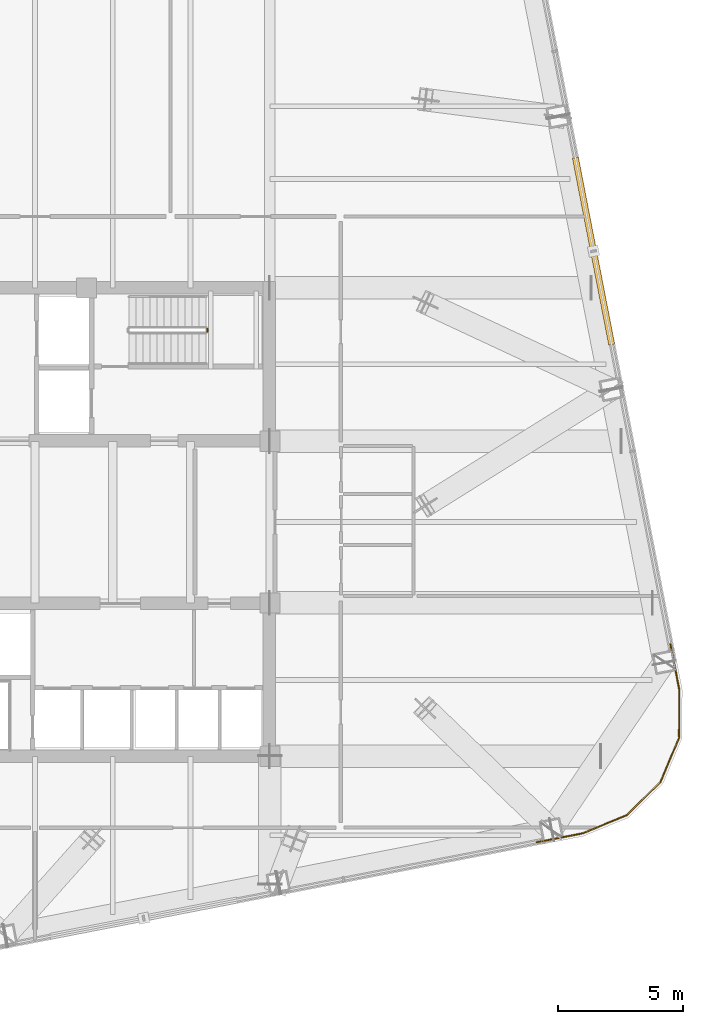
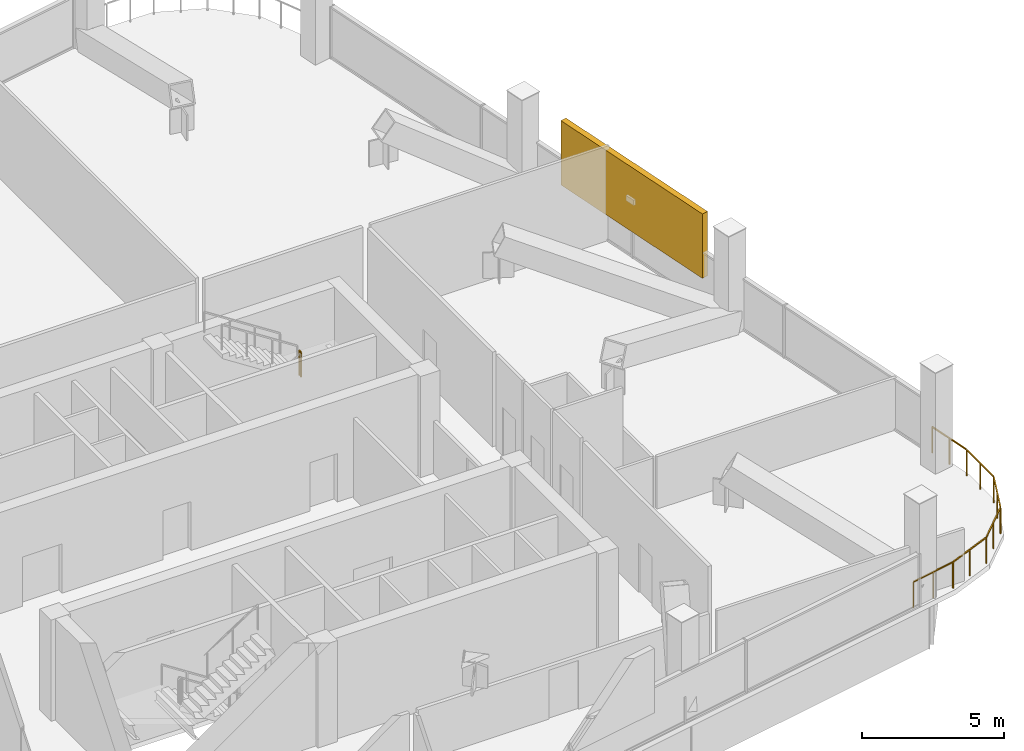
# One storey, part 25 of 26: 3 railings, 1 shading device.
"""IFC4 building model written with IfcOpenShell, lengths in metres."""

from ifc_helpers import new_model, si_unit, direction, frame, origin, origin_2d, place, context, subcontext, project, spatial, rectangle, extrude, material, type_object, element, save


model = new_model("IFC4")

# Units and contexts
model_context = context("Model", 3, precision=1e-05, world=origin(), true_north=direction((0.0, 1.0)))
body_context = subcontext(model_context, "Body", "Model", "MODEL_VIEW")
ifc_project = project(units=[si_unit("LENGTHUNIT", "METRE"), si_unit("AREAUNIT", "SQUARE_METRE"), si_unit("VOLUMEUNIT", "CUBIC_METRE"), si_unit("PLANEANGLEUNIT", "RADIAN"), si_unit("MASSUNIT", "GRAM", prefix="KILO")], contexts=[model_context])

# Site, building, storey
site_placement = place(None, origin())
site = spatial("IfcSite", under=ifc_project, at=site_placement, CompositionType="ELEMENT")
building_placement = place(site_placement, origin())
building = spatial("IfcBuilding", under=site, at=building_placement, Name="Qhalaya Broadcast Tower", CompositionType="ELEMENT")
storey_placement = place(building_placement, frame((0.0, 0.0, 140.25)))
storey = spatial("IfcBuildingStorey", under=building, at=storey_placement, Name="L41", CompositionType="ELEMENT", Elevation=140.25)

# Railings
ifc_material_1 = material(Name="Powder-Coated Galvanised Steel", Category="steel")
railing_type_1 = type_object("IfcRailingType", Name="Stair Well & Landing Guardrail 1100", PredefinedType="GUARDRAIL", material=ifc_material_1)
railing_1_placement = place(storey_placement, frame((6.8798828125, 8.199951171875, 2.175048828125)))
element("IfcRailing", 1, at=railing_1_placement, inside=storey, type_object=railing_type_1, Name="L41 ST-1 Stair Guard 2", PredefinedType="GUARDRAIL", context=body_context, shape_type="SweptSolid", body=[
    extrude(rectangle(XDim=0.048095703125, YDim=0.048095703125, at=origin_2d()), frame((0.0, 0.0, 1.076171875), z_axis=(0.0, 1.0, 0.0), x_axis=(-1.0, 0.0, 0.0)), (0.0, 0.0, 1.0), 0.1201171875),
    extrude(rectangle(XDim=0.0419921875, YDim=0.0419921875, at=origin_2d()), origin(), (0.0, 0.0, 1.0), 1.050048828125),
    extrude(rectangle(XDim=0.0419921875, YDim=0.0419921875, at=origin_2d()), frame((0.0, 0.1201171875, 0.0)), (0.0, 0.0, 1.0), 1.050048828125),
])
railing_type_2 = type_object("IfcRailingType", Name="Terrace, Sky-Pool & Lookout Glass Balustrade 1150", PredefinedType="BALUSTRADE", material=ifc_material_1)
railing_2_placement = place(storey_placement, frame((21.847412109375, -11.82861328125, 0.0)))
element("IfcRailing", 2, at=railing_2_placement, inside=storey, type_object=railing_type_2, Name="L41 Rounded Corner Perimeter Guard 01", PredefinedType="BALUSTRADE", context=body_context, shape_type="SweptSolid", body=[
    extrude(rectangle(XDim=0.048095703125, YDim=0.048095703125, at=origin_2d()), frame((0.0, 0.0, 1.1259765625), z_axis=(-0.981618812261, -0.190852056357, 0.0), x_axis=(0.190852056357, -0.981618812261, 0.0)), (0.0, 0.0, 1.0), 1.856201171875),
    extrude(rectangle(XDim=0.0419921875, YDim=0.0419921875, at=origin_2d()), origin(), (0.0, 0.0, 1.0), 1.099853515625),
    extrude(rectangle(XDim=0.0419921875, YDim=0.0419921875, at=origin_2d()), frame((-0.9111328125, -0.17724609375, 0.0)), (0.0, 0.0, 1.0), 1.099853515625),
    extrude(rectangle(XDim=0.0419921875, YDim=0.0419921875, at=origin_2d()), frame((-1.822021484375, -0.354248046875, 0.0)), (0.0, 0.0, 1.0), 1.099853515625),
])
railing_3_placement = place(storey_placement, frame((25.36181640625, -4.271240234375, 0.0)))
element("IfcRailing", 3, at=railing_3_placement, inside=storey, type_object=railing_type_2, Name="L41 Rounded Corner Perimeter Guard 05", PredefinedType="BALUSTRADE", context=body_context, shape_type="SweptSolid", body=[
    extrude(rectangle(XDim=0.048095703125, YDim=0.048095703125, at=origin_2d()), frame((0.0, 0.0, 1.1259765625), z_axis=(0.190827417864, -0.981623602299, 0.0), x_axis=(0.981623602299, 0.190827417864, 0.0)), (0.0, 0.0, 1.0), 1.82763671875),
    extrude(rectangle(XDim=0.048095703125, YDim=0.048095703125, at=origin_2d()), frame((0.35400390625, -1.85107421875, 1.1259765625), z_axis=(-0.004334482484, -0.999990606087, 0.0), x_axis=(0.999990606087, -0.004334482484, 0.0)), (0.0, 0.0, 1.0), 1.857421875),
    extrude(rectangle(XDim=0.048095703125, YDim=0.048095703125, at=origin_2d()), frame((0.334716796875, -3.763916015625, 1.1259765625), z_axis=(-0.386754828875, -0.922182575384, 0.0), x_axis=(0.922182575384, -0.386754828875, 0.0)), (0.0, 0.0, 1.0), 1.845458984375),
    extrude(rectangle(XDim=0.048095703125, YDim=0.048095703125, at=origin_2d()), frame((-0.41064453125, -5.5126953125, 1.1259765625), z_axis=(-0.710178888649, -0.704021268228, 0.0), x_axis=(0.704021268228, -0.710178888649, 0.0)), (0.0, 0.0, 1.0), 1.845458984375),
    extrude(rectangle(XDim=0.048095703125, YDim=0.048095703125, at=origin_2d()), frame((-1.768310546875, -6.84326171875, 1.1259765625), z_axis=(-0.925565229698, -0.378588174109, 0.0), x_axis=(0.378588174109, -0.925565229698, 0.0)), (0.0, 0.0, 1.0), 1.886474609375),
    extrude(rectangle(XDim=0.0419921875, YDim=0.0419921875, at=origin_2d()), origin(), (0.0, 0.0, 1.0), 1.099853515625),
    extrude(rectangle(XDim=0.0419921875, YDim=0.0419921875, at=origin_2d()), frame((0.17724609375, -0.9111328125, 0.0)), (0.0, 0.0, 1.0), 1.099853515625),
    extrude(rectangle(XDim=0.0419921875, YDim=0.0419921875, at=origin_2d()), frame((0.354248046875, -1.822265625, 0.0)), (0.0, 0.0, 1.0), 1.099853515625),
    extrude(rectangle(XDim=0.0419921875, YDim=0.0419921875, at=origin_2d()), frame((0.35009765625, -2.77978515625, 0.0)), (0.0, 0.0, 1.0), 1.099853515625),
    extrude(rectangle(XDim=0.0419921875, YDim=0.0419921875, at=origin_2d()), frame((0.345947265625, -3.7373046875, 0.0)), (0.0, 0.0, 1.0), 1.099853515625),
    extrude(rectangle(XDim=0.0419921875, YDim=0.0419921875, at=origin_2d()), frame((-0.02197265625, -4.61474609375, 0.0)), (0.0, 0.0, 1.0), 1.099853515625),
    extrude(rectangle(XDim=0.0419921875, YDim=0.0419921875, at=origin_2d()), frame((-0.39013671875, -5.492431640625, 0.0)), (0.0, 0.0, 1.0), 1.099853515625),
    extrude(rectangle(XDim=0.0419921875, YDim=0.0419921875, at=origin_2d()), frame((-1.06591796875, -6.162353515625, 0.0)), (0.0, 0.0, 1.0), 1.099853515625),
    extrude(rectangle(XDim=0.0419921875, YDim=0.0419921875, at=origin_2d()), frame((-1.74169921875, -6.832275390625, 0.0)), (0.0, 0.0, 1.0), 1.099853515625),
    extrude(rectangle(XDim=0.0419921875, YDim=0.0419921875, at=origin_2d()), frame((-2.6279296875, -7.19482421875, 0.0)), (0.0, 0.0, 1.0), 1.099853515625),
    extrude(rectangle(XDim=0.0419921875, YDim=0.0419921875, at=origin_2d()), frame((-3.514404296875, -7.557373046875, 0.0)), (0.0, 0.0, 1.0), 1.099853515625),
])

# Shading device
ifc_material_2 = material(Name="Fired Architectural Terracotta", Category="masonry")
shading_device_type = type_object("IfcShadingDeviceType", Name="Terracotta Baguette Solar Screen Assembly TBS-01", PredefinedType="USERDEFINED", material=ifc_material_2)
shading_device_placement = place(storey_placement, frame((22.292724609375, 11.413330078125, 1.139404296875), z_axis=(0.0, 0.0, 1.0), x_axis=(-0.190808995377, 0.981627183448, 0.0)))
element("IfcShadingDevice", 4, at=shading_device_placement, inside=storey, type_object=shading_device_type, Name="L41 Fired Terracotta Baguette Screen E", ObjectType="BAGUETTE", PredefinedType="USERDEFINED", context=body_context, shape_type="SweptSolid", body=[
    extrude(rectangle(XDim=7.60009765625, YDim=0.239990234375, at=origin_2d()), origin(), (0.0, 0.0, 1.0), 2.76806640625),
])

save(model, "model.ifc")
